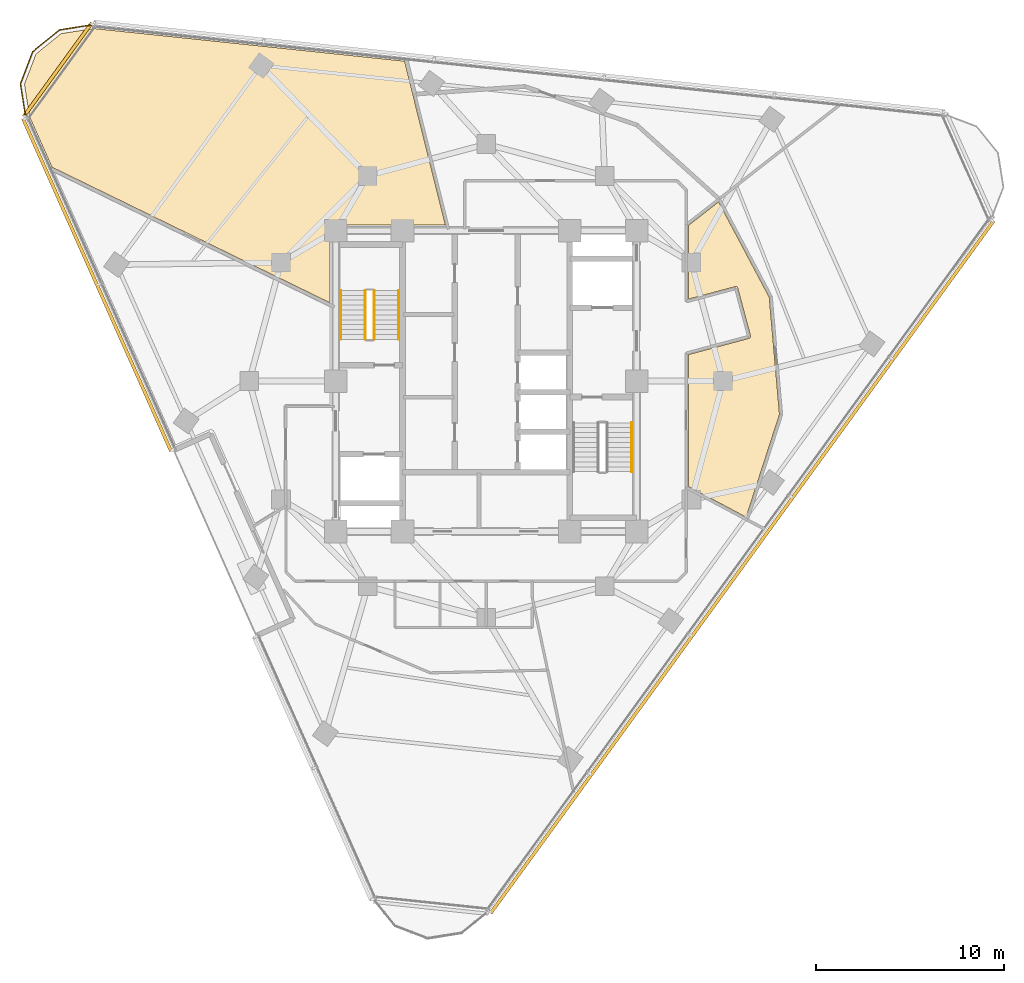
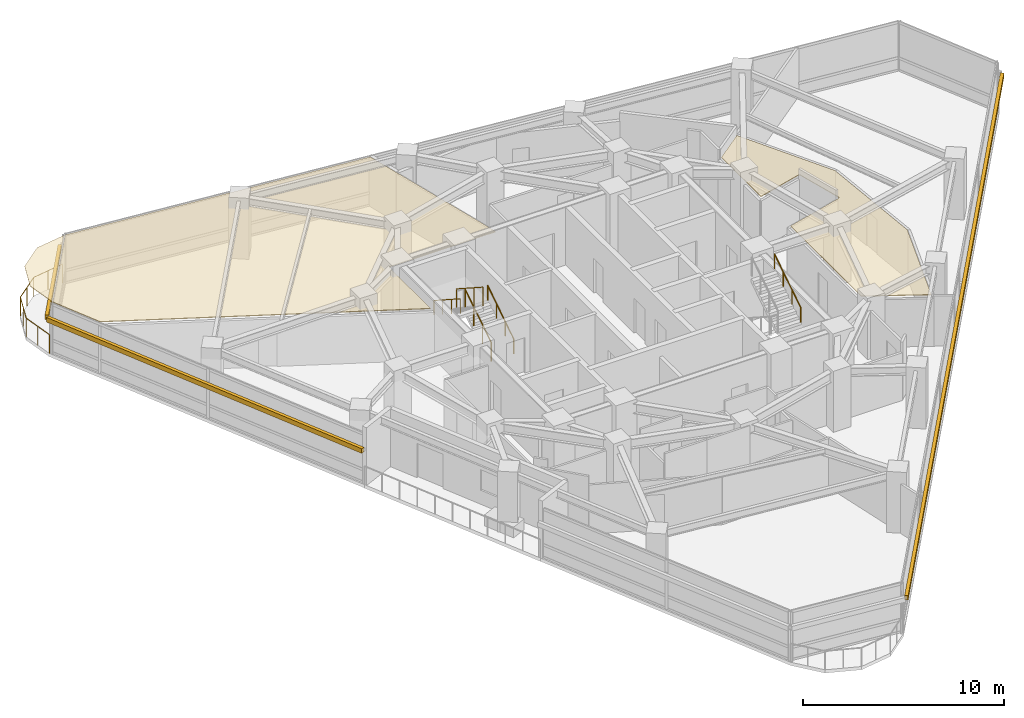
# One storey, part 13 of 14: 6 railings, 3 shading devices, 2 coverings.
"""IFC4 building model written with IfcOpenShell, lengths in metres."""

from ifc_helpers import new_model, si_unit, direction, frame, origin, origin_2d, place, context, subcontext, project, spatial, polyline, rectangle, circle, outline, extrude, material, layer, layer_set, type_object, element, save


model = new_model("IFC4")

# Units and contexts
model_context = context("Model", 3, precision=1e-05, world=origin(), true_north=direction((0.0, 1.0)))
body_context = subcontext(model_context, "Body", "Model", "MODEL_VIEW")
ifc_project = project(units=[si_unit("LENGTHUNIT", "METRE"), si_unit("AREAUNIT", "SQUARE_METRE"), si_unit("VOLUMEUNIT", "CUBIC_METRE"), si_unit("PLANEANGLEUNIT", "RADIAN"), si_unit("MASSUNIT", "GRAM", prefix="KILO")], contexts=[model_context])

# Site, building, storey
site_placement = place(None, origin())
site = spatial("IfcSite", under=ifc_project, at=site_placement, CompositionType="ELEMENT")
building_placement = place(site_placement, origin())
building = spatial("IfcBuilding", under=site, at=building_placement, Name="Terralouvre Media Tower", CompositionType="ELEMENT")
storey_placement = place(building_placement, frame((0.0, 0.0, 226.300048828125)))
storey = spatial("IfcBuildingStorey", under=building, at=storey_placement, Name="L58", CompositionType="ELEMENT", Elevation=226.300048828125)

# Coverings
ifc_material_1 = material(Name="Perforated aluminium acoustic ceiling baffle", Category="aluminium")
ifc_layer_1 = layer(ifc_material_1, 0.0400390625, Name="Perforated Acoustic Metal Tile Ceiling CL-AC1")
ifc_layer_set_1 = layer_set([ifc_layer_1], Name="Perforated aluminium acoustic ceiling baffle")
covering_type = type_object("IfcCoveringType", Name="Perforated Acoustic Metal Tile Ceiling CL-AC1", PredefinedType="CEILING", material=ifc_layer_set_1)
covering_1_placement = place(storey_placement, frame((0.0, 0.0, 2.97998046875), z_axis=(0.0, 0.0, 1.0), x_axis=(0.587785252292, 0.809016994375, 0.0)))
element("IfcCovering", 1, at=covering_1_placement, inside=storey, type_object=covering_type, Name="L58 Executive Dining Room 1 Acoustic Ceiling", PredefinedType="CEILING", context=body_context, shape_type="SweptSolid", body=[
    extrude(outline(polyline([(7.7294921875, -13.66259765625), (12.453369140625, -9.556396484375), (14.970458984375, -4.39697265625), (13.010986328125, -3.834716796875), (9.84228515625, -6.136962890625), (11.8544921875, -7.766357421875), (11.862060546875, -7.77294921875), (11.86865234375, -7.7802734375), (11.87451171875, -7.7880859375), (11.879638671875, -7.79638671875), (11.8837890625, -7.80517578125), (11.88720703125, -7.814453125), (11.8896484375, -7.823974609375), (11.89111328125, -7.833740234375), (11.8916015625, -7.843505859375), (11.891357421875, -7.853271484375), (11.889892578125, -7.863037109375), (11.8876953125, -7.87255859375), (11.88427734375, -7.8818359375), (11.880126953125, -7.890625), (11.875244140625, -7.899169921875), (11.869384765625, -7.9072265625), (10.200927734375, -9.966064453125), (10.1943359375, -9.973388671875), (10.187255859375, -9.97998046875), (10.17919921875, -9.98583984375), (10.1708984375, -9.990966796875), (10.162109375, -9.9951171875), (10.15283203125, -9.99853515625), (10.143310546875, -10.0009765625), (10.1337890625, -10.00244140625), (10.123779296875, -10.003173828125), (10.114013671875, -10.002685546875), (10.104248046875, -10.001220703125), (10.094970703125, -9.9990234375), (10.08544921875, -9.99560546875), (10.07666015625, -9.991455078125), (10.068115234375, -9.986572265625), (10.060302734375, -9.980712890625), (7.45556640625, -7.870849609375), (1.785888671875, -11.990234375), (2.27001953125, -15.4365234375), (7.7294921875, -13.66259765625)])), origin(), (0.0, 0.0, 1.0), 0.0400390625),
])
covering_2_placement = place(storey_placement, frame((0.0, 0.0, 2.97998046875), z_axis=(0.0, 0.0, 1.0), x_axis=(0.587785252292, 0.809016994375, 0.0)))
element("IfcCovering", 2, at=covering_2_placement, inside=storey, type_object=covering_type, Name="L58 Executive Security Control Room 8 Acoustic Ceiling", PredefinedType="CEILING", context=body_context, shape_type="SweptSolid", body=[
    extrude(outline(polyline([(-4.3701171875, 25.360107421875), (-1.515869140625, 9.17041015625), (1.757568359375, 11.548583984375), (1.765869140625, 11.553955078125), (1.7744140625, 11.55859375), (1.783447265625, 11.562255859375), (1.79296875, 11.56494140625), (1.802490234375, 11.56689453125), (1.8125, 11.567626953125), (1.822265625, 11.567626953125), (1.83203125, 11.56640625), (1.841552734375, 11.564453125), (1.850830078125, 11.5615234375), (1.85986328125, 11.5576171875), (1.86865234375, 11.552978515625), (1.876708984375, 11.54736328125), (1.88427734375, 11.541259765625), (1.89111328125, 11.5341796875), (1.897216796875, 11.526611328125), (5.444580078125, 6.64404296875), (10.029541015625, 12.107666015625), (11.208984375, 13.5146484375), (2.898193359375, 27.908935546875), (1.66064453125, 29.146484375), (-0.000244140625, 29.591552734375), (-1.66064453125, 29.146240234375), (-2.8984375, 27.908935546875), (-4.3701171875, 25.360107421875)])), origin(), (0.0, 0.0, 1.0), 0.0400390625),
])

# Railings
ifc_material_2 = material(Name="Stainless steel 316 handrail and balustrade", Category="steel")
ifc_layer_2 = layer(ifc_material_2, 0.06005859375, Name="Roof Edge Safety Guardrail GR-ROOF1")
ifc_layer_set_2 = layer_set([ifc_layer_2], Name="Stainless steel 316 handrail and balustrade")
railing_type_1 = type_object("IfcRailingType", Name="Roof Edge Safety Guardrail GR-ROOF1", PredefinedType="GUARDRAIL", material=ifc_layer_set_2)
railing_1_placement = place(storey_placement, frame((-20.870361328125, 18.961181640625, 0.0)))
element("IfcRailing", 3, at=railing_1_placement, inside=storey, type_object=railing_type_1, Name="L58 Wind-Corner Perimeter Safety Guardrail C2", PredefinedType="GUARDRAIL", context=body_context, shape_type="SweptSolid", body=[
    extrude(circle(Radius=0.02099609375, at=origin_2d()), frame((0.0, 0.0, 1.12890625), z_axis=(-0.987731695444, -0.156160487372, 0.0), x_axis=(0.156160487372, -0.987731695444, 0.0)), (0.0, 0.0, 1.0), 1.8369140625),
    extrude(circle(Radius=0.02099609375, at=origin_2d()), frame((-1.814453125, -0.286865234375, 1.12890625), z_axis=(-0.777198436724, -0.629255583967, 0.0), x_axis=(0.629255583967, -0.777198436724, 0.0)), (0.0, 0.0, 1.0), 1.836669921875),
    extrude(circle(Radius=0.02099609375, at=origin_2d()), frame((-3.241943359375, -1.442626953125, 1.12890625), z_axis=(-0.35822186013, -0.933636491856, 0.0), x_axis=(0.933636491856, -0.35822186013, 0.0)), (0.0, 0.0, 1.0), 1.836669921875),
    extrude(circle(Radius=0.02099609375, at=origin_2d()), frame((-3.89990234375, -3.157470703125, 1.12890625), z_axis=(0.156699635824, -0.987646305178, 0.0), x_axis=(0.987646305178, 0.156699635824, 0.0)), (0.0, 0.0, 1.0), 1.8369140625),
    extrude(circle(Radius=0.01904296875, at=origin_2d()), origin(), (0.0, 0.0, 1.0), 1.10791015625),
    extrude(circle(Radius=0.01904296875, at=origin_2d()), frame((-0.9072265625, -0.1435546875, 0.0)), (0.0, 0.0, 1.0), 1.10791015625),
    extrude(circle(Radius=0.01904296875, at=origin_2d()), frame((-1.814453125, -0.286865234375, 0.0)), (0.0, 0.0, 1.0), 1.10791015625),
    extrude(circle(Radius=0.01904296875, at=origin_2d()), frame((-2.5283203125, -0.86474609375, 0.0)), (0.0, 0.0, 1.0), 1.10791015625),
    extrude(circle(Radius=0.01904296875, at=origin_2d()), frame((-3.241943359375, -1.442626953125, 0.0)), (0.0, 0.0, 1.0), 1.10791015625),
    extrude(circle(Radius=0.01904296875, at=origin_2d()), frame((-3.57080078125, -2.300048828125, 0.0)), (0.0, 0.0, 1.0), 1.10791015625),
    extrude(circle(Radius=0.01904296875, at=origin_2d()), frame((-3.89990234375, -3.157470703125, 0.0)), (0.0, 0.0, 1.0), 1.10791015625),
    extrude(circle(Radius=0.01904296875, at=origin_2d()), frame((-3.755859375, -4.064453125, 0.0)), (0.0, 0.0, 1.0), 1.10791015625),
    extrude(circle(Radius=0.01904296875, at=origin_2d()), frame((-3.612060546875, -4.9716796875, 0.0)), (0.0, 0.0, 1.0), 1.10791015625),
])
ifc_material_3 = material(Name="Stainless steel 316 handrail and balustrade", Category="steel")
ifc_layer_3 = layer(ifc_material_3, 0.050048828125, Name="Stair Flight Wall Handrail HR-INT1")
ifc_layer_set_3 = layer_set([ifc_layer_3], Name="Stainless steel 316 handrail and balustrade")
railing_type_2 = type_object("IfcRailingType", Name="Stair Flight Wall Handrail HR-INT1", PredefinedType="HANDRAIL", material=ifc_layer_set_3)
railing_2_placement = place(storey_placement, frame((-4.64990234375, 2.219970703125, 0.168212890625)))
element("IfcRailing", 4, at=railing_2_placement, inside=storey, type_object=railing_type_2, Name="L58 ST-01 stair handrail 1", PredefinedType="HANDRAIL", context=body_context, shape_type="SweptSolid", body=[
    extrude(circle(Radius=0.02392578125, at=origin_2d()), frame((0.0, 0.0, 0.8759765625), z_axis=(0.0, 0.839684365666, 0.543074733399), x_axis=(-1.0, 0.0, 0.0)), (0.0, 0.0, 1.0), 3.096435546875),
    extrude(circle(Radius=0.02099609375, at=origin_2d()), origin(), (0.0, 0.0, 1.0), 0.851806640625),
    extrude(circle(Radius=0.02099609375, at=origin_2d()), frame((0.0, 0.86669921875, 0.560546875)), (0.0, 0.0, 1.0), 0.851806640625),
    extrude(circle(Radius=0.02099609375, at=origin_2d()), frame((0.0, 1.7333984375, 1.12109375)), (0.0, 0.0, 1.0), 0.851806640625),
    extrude(circle(Radius=0.02099609375, at=origin_2d()), frame((0.0, 2.60009765625, 1.681640625)), (0.0, 0.0, 1.0), 0.851806640625),
])
railing_3_placement = place(storey_placement, frame((-7.72998046875, 4.820068359375, 2.01806640625)))
element("IfcRailing", 5, at=railing_3_placement, inside=storey, type_object=railing_type_2, Name="L58 ST-01 stair handrail 2", PredefinedType="HANDRAIL", context=body_context, shape_type="SweptSolid", body=[
    extrude(circle(Radius=0.02392578125, at=origin_2d()), frame((0.0, 0.0, 0.8759765625), z_axis=(0.0, -0.839648411786, 0.543130320075), x_axis=(1.0, 0.0, 0.0)), (0.0, 0.0, 1.0), 3.0966796875),
    extrude(circle(Radius=0.02099609375, at=origin_2d()), origin(), (0.0, 0.0, 1.0), 0.851806640625),
    extrude(circle(Radius=0.02099609375, at=origin_2d()), frame((0.0, -0.86669921875, 0.560546875)), (0.0, 0.0, 1.0), 0.851806640625),
    extrude(circle(Radius=0.02099609375, at=origin_2d()), frame((0.0, -1.7333984375, 1.121337890625)), (0.0, 0.0, 1.0), 0.851806640625),
    extrude(circle(Radius=0.02099609375, at=origin_2d()), frame((0.0, -2.60009765625, 1.681884765625)), (0.0, 0.0, 1.0), 0.851806640625),
])
railing_4_placement = place(storey_placement, frame((7.72998046875, -4.820068359375, 2.01806640625)))
element("IfcRailing", 6, at=railing_4_placement, inside=storey, type_object=railing_type_2, Name="L58 ST-02 stair handrail 2", PredefinedType="HANDRAIL", context=body_context, shape_type="SweptSolid", body=[
    extrude(circle(Radius=0.02392578125, at=origin_2d()), frame((0.0, 0.0, 0.8759765625), z_axis=(0.0, 0.839648411786, 0.543130320075), x_axis=(-1.0, 0.0, 0.0)), (0.0, 0.0, 1.0), 3.0966796875),
    extrude(circle(Radius=0.02099609375, at=origin_2d()), origin(), (0.0, 0.0, 1.0), 0.851806640625),
    extrude(circle(Radius=0.02099609375, at=origin_2d()), frame((0.0, 0.86669921875, 0.560546875)), (0.0, 0.0, 1.0), 0.851806640625),
    extrude(circle(Radius=0.02099609375, at=origin_2d()), frame((0.0, 1.7333984375, 1.121337890625)), (0.0, 0.0, 1.0), 0.851806640625),
    extrude(circle(Radius=0.02099609375, at=origin_2d()), frame((0.0, 2.60009765625, 1.681884765625)), (0.0, 0.0, 1.0), 0.851806640625),
])
ifc_material_4 = material(Name="Stainless steel 316 handrail and balustrade", Category="steel")
ifc_layer_4 = layer(ifc_material_4, 0.050048828125, Name="Stairwell Safety Guardrail GR-INT1")
ifc_layer_set_4 = layer_set([ifc_layer_4], Name="Stainless steel 316 handrail and balustrade")
railing_type_3 = type_object("IfcRailingType", Name="Stairwell Safety Guardrail GR-INT1", PredefinedType="GUARDRAIL", material=ifc_layer_set_4)
railing_5_placement = place(storey_placement, frame((-5.949951171875, 2.219970703125, 0.168212890625)))
element("IfcRailing", 7, at=railing_5_placement, inside=storey, type_object=railing_type_3, Name="L58 ST-01 stair guard 1", PredefinedType="GUARDRAIL", context=body_context, shape_type="SweptSolid", body=[
    extrude(circle(Radius=0.02392578125, at=origin_2d()), frame((0.0, 0.0, 1.1259765625), z_axis=(0.0, 0.839684365666, 0.543074733399), x_axis=(-1.0, 0.0, 0.0)), (0.0, 0.0, 1.0), 3.096435546875),
    extrude(circle(Radius=0.02099609375, at=origin_2d()), origin(), (0.0, 0.0, 1.0), 1.101806640625),
    extrude(circle(Radius=0.02099609375, at=origin_2d()), frame((0.0, 0.86669921875, 0.560546875)), (0.0, 0.0, 1.0), 1.101806640625),
    extrude(circle(Radius=0.02099609375, at=origin_2d()), frame((0.0, 1.7333984375, 1.12109375)), (0.0, 0.0, 1.0), 1.101806640625),
    extrude(circle(Radius=0.02099609375, at=origin_2d()), frame((0.0, 2.60009765625, 1.681640625)), (0.0, 0.0, 1.0), 1.101806640625),
])
railing_6_placement = place(storey_placement, frame((-6.429931640625, 4.820068359375, 2.01806640625)))
element("IfcRailing", 8, at=railing_6_placement, inside=storey, type_object=railing_type_3, Name="L58 ST-01 stair guard 3", PredefinedType="GUARDRAIL", context=body_context, shape_type="SweptSolid", body=[
    extrude(circle(Radius=0.02392578125, at=origin_2d()), frame((0.0, 0.0, 1.1259765625), z_axis=(0.0, -0.839648411786, 0.543130320075), x_axis=(1.0, 0.0, 0.0)), (0.0, 0.0, 1.0), 3.0966796875),
    extrude(circle(Radius=0.02099609375, at=origin_2d()), origin(), (0.0, 0.0, 1.0), 1.101806640625),
    extrude(circle(Radius=0.02099609375, at=origin_2d()), frame((0.0, -0.86669921875, 0.560546875)), (0.0, 0.0, 1.0), 1.101806640625),
    extrude(circle(Radius=0.02099609375, at=origin_2d()), frame((0.0, -1.7333984375, 1.121337890625)), (0.0, 0.0, 1.0), 1.101806640625),
    extrude(circle(Radius=0.02099609375, at=origin_2d()), frame((0.0, -2.60009765625, 1.681884765625)), (0.0, 0.0, 1.0), 1.101806640625),
])

# Shading devices
ifc_material_5 = material(Name="Extruded terracotta baguette sunshade louvres", Category="masonry")
shading_device_type = type_object("IfcShadingDeviceType", Name="Terracotta Baguette Sunshade Louvre Screen TB-LV1", PredefinedType="USERDEFINED", material=ifc_material_5)
shading_device_1_placement = place(storey_placement, frame((13.611572265625, -9.889404296875, 2.02392578125), z_axis=(0.0, 0.0, 1.0), x_axis=(0.587785300879, 0.809016959074, 0.0)))
element("IfcShadingDevice", 9, at=shading_device_1_placement, inside=storey, type_object=shading_device_type, Name="CW-L58-F0 Terracotta Baguette Sunshade Louvre", ObjectType="BAGUETTE", PredefinedType="USERDEFINED", context=body_context, shape_type="SweptSolid", body=[
    extrude(rectangle(XDim=45.5, YDim=0.179931640625, at=origin_2d()), origin(), (0.0, 0.0, 1.0), 0.280029296875),
])
shading_device_2_placement = place(storey_placement, frame((-20.688232421875, 5.101318359375, 2.02392578125), z_axis=(0.0, 0.0, 1.0), x_axis=(0.406736988415, -0.913545303888, 0.0)))
element("IfcShadingDevice", 10, at=shading_device_2_placement, inside=storey, type_object=shading_device_type, Name="CW-L58-F2L Terracotta Baguette Sunshade Louvre", ObjectType="BAGUETTE", PredefinedType="USERDEFINED", context=body_context, shape_type="SweptSolid", body=[
    extrude(rectangle(XDim=19.35009765625, YDim=0.179931640625, at=origin_2d()), origin(), (0.0, 0.0, 1.0), 0.280029296875),
])
shading_device_3_placement = place(storey_placement, frame((-22.785400390625, 16.5546875, 2.02392578125), z_axis=(0.0, 0.0, 1.0), x_axis=(-0.58778588998, -0.809016531067, 0.0)))
element("IfcShadingDevice", 11, at=shading_device_3_placement, inside=storey, type_object=shading_device_type, Name="CW-L58-C2 Terracotta Baguette Sunshade Louvre", ObjectType="BAGUETTE", PredefinedType="USERDEFINED", context=body_context, shape_type="SweptSolid", body=[
    extrude(rectangle(XDim=6.148681640625, YDim=0.179931640625, at=origin_2d()), origin(), (0.0, 0.0, 1.0), 0.280029296875),
])

save(model, "model.ifc")
